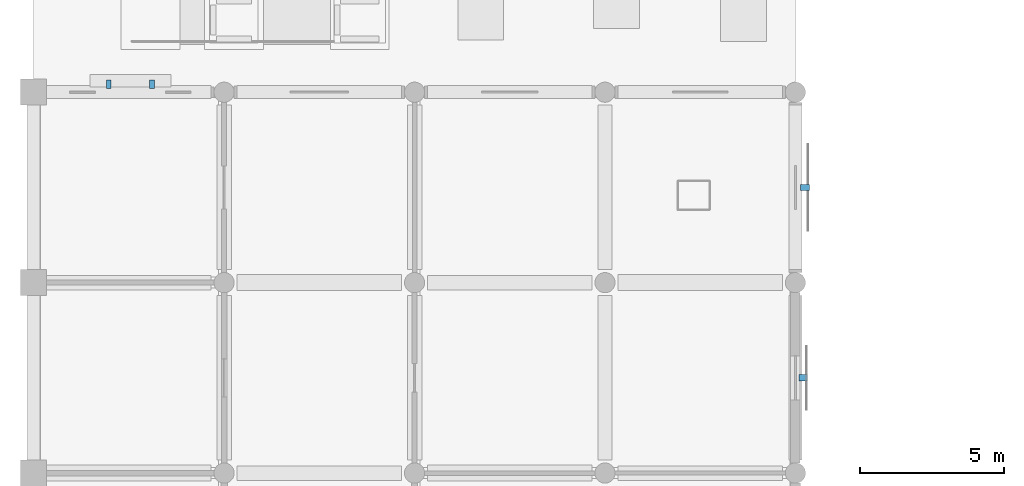
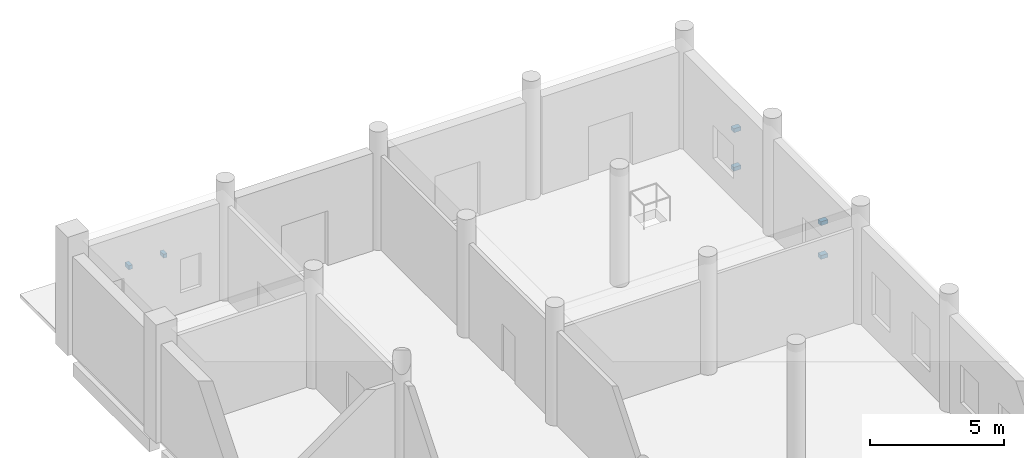
# One storey, part 23 of 28: 6 discrete accessories.
"""IFC4 building model written with IfcOpenShell, lengths in metres."""

from ifc_helpers import new_model, si_unit, direction, frame, origin, origin_2d, place, context, subcontext, project, spatial, rectangle, extrude, material, type_object, element, save


model = new_model("IFC4")

# Units and contexts
model_context = context("Model", 3, precision=1e-05, world=origin(), true_north=direction((0.0, 1.0)))
body_context = subcontext(model_context, "Body", "Model", "MODEL_VIEW")
ifc_project = project(units=[si_unit("LENGTHUNIT", "METRE"), si_unit("AREAUNIT", "SQUARE_METRE"), si_unit("VOLUMEUNIT", "CUBIC_METRE"), si_unit("PLANEANGLEUNIT", "RADIAN"), si_unit("MASSUNIT", "GRAM", prefix="KILO")], contexts=[model_context])

# Site, building, storey
site_placement = place(None, origin())
site = spatial("IfcSite", under=ifc_project, at=site_placement, CompositionType="ELEMENT")
building_placement = place(site_placement, origin())
building = spatial("IfcBuilding", under=site, at=building_placement, Name="Rusizi Kubbe Research Institute", CompositionType="ELEMENT")
storey_placement = place(building_placement, origin())
storey = spatial("IfcBuildingStorey", under=building, at=storey_placement, Name="L00", CompositionType="ELEMENT", Elevation=0.0)

# Discrete accessories
ifc_material_1 = material(Name="Steel S355", Category="steel")
discrete_accessory_type_1 = type_object("IfcDiscreteAccessoryType", Name="BK-01", PredefinedType="BRACKET", material=ifc_material_1)
for number, where, z_axis, x_axis, name in (
    (1, (26.672607421875, 161.699951171875, 0.740234375), (0.0, 0.0, 1.0), (1.0, 0.0, 0.0), "Solar Screen Bracket 15-1"),
    (2, (26.672607421875, 161.699951171875, 2.2802734375), (0.0, 0.0, 1.0), (1.0, 0.0, 0.0), "Solar Screen Bracket 15-2"),
    (3, (26.72998046875, 168.300048828125, 0.740234375), (0.0, 0.0, 1.0), (1.0, 0.0, 0.0), "Solar Screen Bracket 16-1"),
    (4, (26.72998046875, 168.300048828125, 2.5), (0.0, 0.0, 1.0), (1.0, 0.0, 0.0), "Solar Screen Bracket 16-2"),
):
    element("IfcDiscreteAccessory", number, at=place(storey_placement, frame(where, z_axis=z_axis, x_axis=x_axis)), inside=storey, type_object=discrete_accessory_type_1, Name=name, PredefinedType="BRACKET", context=body_context, shape_type="SweptSolid", body=[
        extrude(rectangle(XDim=0.300048828125, YDim=0.219970703125, at=origin_2d()), origin(), (0.0, 0.0, 1.0), 0.179931640625),
    ])
ifc_material_2 = material(Name="Steel S355", Category="steel")
discrete_accessory_type_2 = type_object("IfcDiscreteAccessoryType", Name="BK-02", PredefinedType="BRACKET", material=ifc_material_2)
for number, where, z_axis, x_axis, name in (
    (5, (2.60009765625, 171.87744140625, 2.52001953125), (0.0, 0.0, 1.0), (1.0, 0.0, 0.0), "Louver Canopy Bracket 1-1"),
    (6, (4.10009765625, 171.87744140625, 2.52001953125), (0.0, 0.0, 1.0), (1.0, 0.0, 0.0), "Louver Canopy Bracket 1-2"),
):
    element("IfcDiscreteAccessory", number, at=place(storey_placement, frame(where, z_axis=z_axis, x_axis=x_axis)), inside=storey, type_object=discrete_accessory_type_2, Name=name, PredefinedType="BRACKET", context=body_context, shape_type="SweptSolid", body=[
        extrude(rectangle(XDim=0.159912109375, YDim=0.280029296875, at=origin_2d()), origin(), (0.0, 0.0, 1.0), 0.179931640625),
    ])

save(model, "model.ifc")
